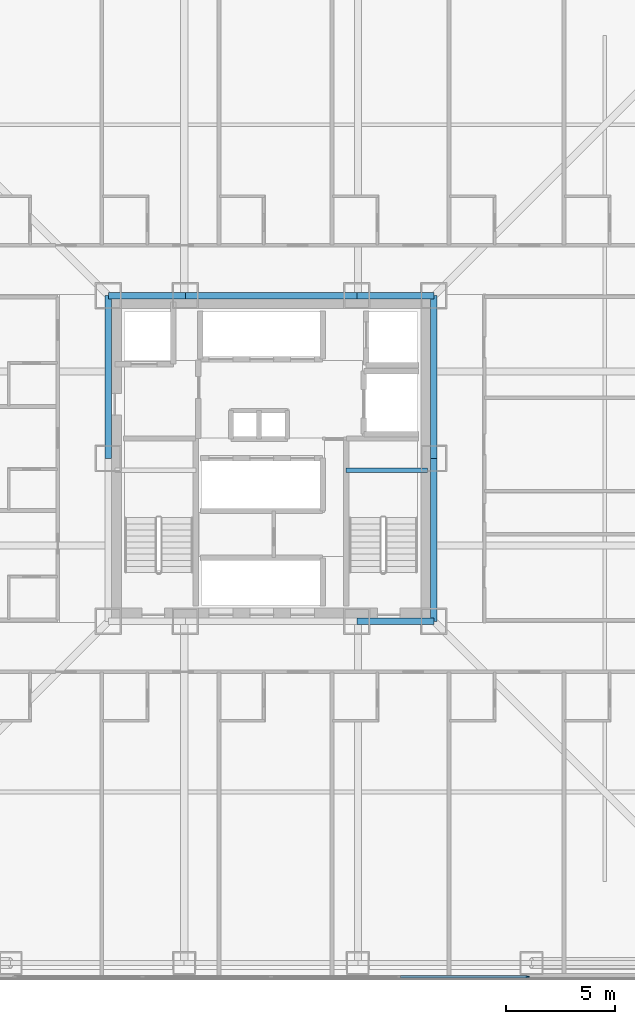
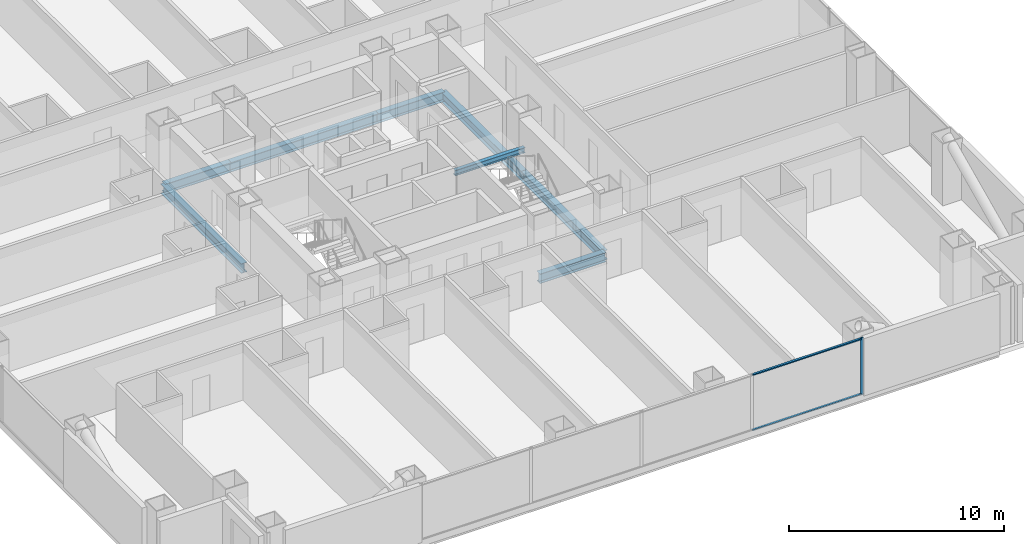
# One storey, part 8 of 23: 8 beams, 3 members, 1 element without a shape of its own.
"""IFC4 building model written with IfcOpenShell, lengths in metres."""

from ifc_helpers import new_model, si_unit, direction, frame, origin, origin_2d, place, context, subcontext, project, spatial, rectangle, i_section, extrude, material, layer, layer_set, material_profile, profile_set, type_object, element, aggregate, save


model = new_model("IFC4")

# Units and contexts
model_context = context("Model", 3, precision=1e-05, world=origin(), true_north=direction((0.0, 1.0)))
body_context = subcontext(model_context, "Body", "Model", "MODEL_VIEW")
ifc_project = project(units=[si_unit("LENGTHUNIT", "METRE"), si_unit("AREAUNIT", "SQUARE_METRE"), si_unit("VOLUMEUNIT", "CUBIC_METRE"), si_unit("PLANEANGLEUNIT", "RADIAN"), si_unit("MASSUNIT", "GRAM", prefix="KILO")], contexts=[model_context])

# Site, building, storey
site_placement = place(None, origin())
site = spatial("IfcSite", under=ifc_project, at=site_placement, CompositionType="ELEMENT")
building_placement = place(site_placement, origin())
building = spatial("IfcBuilding", under=site, at=building_placement, Name="Trevonay Congress Spire", CompositionType="ELEMENT")
storey_placement = place(building_placement, frame((0.0, 0.0, 34.0)))
storey = spatial("IfcBuildingStorey", under=building, at=storey_placement, Name="L07", CompositionType="ELEMENT", Elevation=34.0)

# Beams
ifc_material_1 = material(Name="Steel ASTM A572 Grade 50", Category="steel")
ifc_material_profile_1 = material_profile(ifc_material_1, i_section(OverallWidth=0.31201171875, OverallDepth=0.54296875, WebThickness=0.0126953125, FlangeThickness=0.020263671875, FilletRadius=0.014892578125, at=origin_2d()), Name="W530x150")
ifc_profile_set_1 = profile_set([ifc_material_profile_1], Name="Steel ASTM A572 Grade 50")
beam_type_1 = type_object("IfcBeamType", Name="BM-GIRD-W530X150", PredefinedType="BEAM", material=ifc_profile_set_1)
for number, where, z_axis, x_axis, name in (
    (1, (3.949951171875, -7.5, -0.521484375), (1.0, 0.0, 0.0), (0.0, 1.0, 0.0), "L07 structural beam BM-L07-CR-S3"),
    (2, (-7.5, 7.5, -0.521484375), (1.0, 0.0, 0.0), (0.0, 1.0, 0.0), "L07 structural beam BM-L07-CR-N1"),
):
    element("IfcBeam", number, at=place(storey_placement, frame(where, z_axis=z_axis, x_axis=x_axis)), inside=storey, type_object=beam_type_1, Name=name, PredefinedType="BEAM", context=body_context, shape_type="SweptSolid", body=[
        extrude(i_section(OverallWidth=0.31201171875, OverallDepth=0.54296875, WebThickness=0.0126953125, FlangeThickness=0.020263671875, FilletRadius=0.014892578125, at=origin_2d()), origin(), (0.0, 0.0, 1.0), 3.550048828125),
    ])
beam_1_placement = place(storey_placement, frame((-3.949951171875, 7.5, -0.521484375), z_axis=(1.0, 0.0, 0.0), x_axis=(0.0, 1.0, 0.0)))
element("IfcBeam", 3, at=beam_1_placement, inside=storey, type_object=beam_type_1, Name="L07 structural beam BM-L07-CR-N2", PredefinedType="BEAM", context=body_context, shape_type="SweptSolid", body=[
    extrude(i_section(OverallWidth=0.31201171875, OverallDepth=0.54296875, WebThickness=0.0126953125, FlangeThickness=0.020263671875, FilletRadius=0.014892578125, at=origin_2d()), origin(), (0.0, 0.0, 1.0), 7.89990234375),
])
beam_2_placement = place(storey_placement, frame((3.949951171875, 7.5, -0.521484375), z_axis=(1.0, 0.0, 0.0), x_axis=(0.0, 1.0, 0.0)))
element("IfcBeam", 4, at=beam_2_placement, inside=storey, type_object=beam_type_1, Name="L07 structural beam BM-L07-CR-N3", PredefinedType="BEAM", context=body_context, shape_type="SweptSolid", body=[
    extrude(i_section(OverallWidth=0.31201171875, OverallDepth=0.54296875, WebThickness=0.0126953125, FlangeThickness=0.020263671875, FilletRadius=0.014892578125, at=origin_2d()), origin(), (0.0, 0.0, 1.0), 3.550048828125),
])
for number, where, z_axis, x_axis, name in (
    (5, (-7.5, 0.0, -0.521484375), (0.0, 1.0, 0.0), (-1.0, 0.0, 0.0), "L07 structural beam BM-L07-CR-W2"),
    (6, (7.5, -7.5, -0.521484375), (0.0, 1.0, 0.0), (-1.0, 0.0, 0.0), "L07 structural beam BM-L07-CR-E1"),
    (7, (7.5, 0.0, -0.521484375), (0.0, 1.0, 0.0), (-1.0, 0.0, 0.0), "L07 structural beam BM-L07-CR-E2"),
):
    element("IfcBeam", number, at=place(storey_placement, frame(where, z_axis=z_axis, x_axis=x_axis)), inside=storey, type_object=beam_type_1, Name=name, PredefinedType="BEAM", context=body_context, shape_type="SweptSolid", body=[
        extrude(i_section(OverallWidth=0.31201171875, OverallDepth=0.54296875, WebThickness=0.0126953125, FlangeThickness=0.020263671875, FilletRadius=0.014892578125, at=origin_2d()), origin(), (0.0, 0.0, 1.0), 7.5),
    ])

# Curtain wall, members
ifc_material_2 = material(Name="Pale Anodised Aluminium EN AW-6063-T6", Category="aluminium")
ifc_layer = layer(ifc_material_2, 0.179931640625, Name="Pale Anodised Aluminium EN AW-6063-T6")
ifc_layer_set = layer_set([ifc_layer], Name="Pale Anodised Aluminium EN AW-6063-T6")
curtain_wall_type = type_object("IfcCurtainWallType", Name="CW-SYS02-HOTEL-PALE-METAL", PredefinedType="NOTDEFINED", material=ifc_layer_set)
curtain_wall_placement = place(storey_placement, origin())
curtain_wall = element("IfcCurtainWall", 8, at=curtain_wall_placement, inside=storey, type_object=curtain_wall_type, Name="L07 S unitised curtain wall", PredefinedType="NOTDEFINED")
ifc_material_profile_2 = material_profile(ifc_material_2, rectangle(XDim=0.06005859375, YDim=0.159912109375, at=origin_2d()), Name="CW-MULLION-160-ALUMINIUM")
ifc_profile_set_2 = profile_set([ifc_material_profile_2], Name="Pale Anodised Aluminium EN AW-6063-T6")
member_type_1 = type_object("IfcMemberType", Name="CW-MULLION-160-ALUMINIUM", PredefinedType="MULLION", material=ifc_profile_set_2)
member_1_placement = place(storey_placement, frame((11.820068359375, -23.8798828125, 0.0), z_axis=(0.0, 0.0, 1.0), x_axis=(0.0, 1.0, 0.0)))
member_1 = element("IfcMember", 9, at=member_1_placement, type_object=member_type_1, Name="CW02 mullion 5", PredefinedType="MULLION", context=body_context, shape_type="SweptSolid", body=[
    extrude(rectangle(XDim=0.06005859375, YDim=0.159912109375, at=origin_2d()), origin(), (0.0, 0.0, 1.0), 3.25),
])
ifc_material_profile_3 = material_profile(ifc_material_2, rectangle(XDim=0.1201171875, YDim=0.06005859375, at=origin_2d()), Name="CW-TRANSOM-120-ALUMINIUM")
ifc_profile_set_3 = profile_set([ifc_material_profile_3], Name="Pale Anodised Aluminium EN AW-6063-T6")
member_type_2 = type_object("IfcMemberType", Name="CW-TRANSOM-120-ALUMINIUM", PredefinedType="USERDEFINED", material=ifc_profile_set_3)
member_2_placement = place(storey_placement, frame((5.955078125, -23.8798828125, 0.06005859375), z_axis=(1.0, 0.0, 0.0), x_axis=(0.0, 1.0, 0.0)))
member_2 = element("IfcMember", 10, at=member_2_placement, type_object=member_type_2, Name="CW02 transom 4.1", ObjectType="TRANSOM", PredefinedType="USERDEFINED", context=body_context, shape_type="SweptSolid", body=[
    extrude(rectangle(XDim=0.1201171875, YDim=0.06005859375, at=origin_2d()), origin(), (0.0, 0.0, 1.0), 5.8349609375),
])
member_3_placement = place(storey_placement, frame((5.955078125, -23.8798828125, 3.18994140625), z_axis=(1.0, 0.0, 0.0), x_axis=(0.0, 1.0, 0.0)))
member_3 = element("IfcMember", 11, at=member_3_placement, type_object=member_type_2, Name="CW02 transom 4.2", ObjectType="TRANSOM", PredefinedType="USERDEFINED", context=body_context, shape_type="SweptSolid", body=[
    extrude(rectangle(XDim=0.1201171875, YDim=0.06005859375, at=origin_2d()), origin(), (0.0, 0.0, 1.0), 5.8349609375),
])
aggregate(curtain_wall, [member_1, member_2, member_3])

# Beam
ifc_material_profile_4 = material_profile(ifc_material_1, i_section(OverallWidth=0.2041015625, OverallDepth=0.305908203125, WebThickness=0.008544921875, FlangeThickness=0.0146484375, FilletRadius=0.010986328125, at=origin_2d()), Name="W310x67")
ifc_profile_set_4 = profile_set([ifc_material_profile_4], Name="Steel ASTM A572 Grade 50")
beam_type_2 = type_object("IfcBeamType", Name="LN-CORE-W310X67", PredefinedType="LINTEL", material=ifc_profile_set_4)
beam_3_placement = place(storey_placement, frame((3.449951171875, -0.550048828125, 1.39697265625), z_axis=(1.0, 0.0, 0.0), x_axis=(0.0, 1.0, 0.0)))
element("IfcBeam", 12, at=beam_3_placement, inside=storey, type_object=beam_type_2, Name="L07 structural beam BM-L07-HL-ST2", PredefinedType="LINTEL", context=body_context, shape_type="SweptSolid", body=[
    extrude(i_section(OverallWidth=0.2041015625, OverallDepth=0.305908203125, WebThickness=0.008544921875, FlangeThickness=0.0146484375, FilletRadius=0.010986328125, at=origin_2d()), origin(), (0.0, 0.0, 1.0), 3.75),
])

save(model, "model.ifc")
